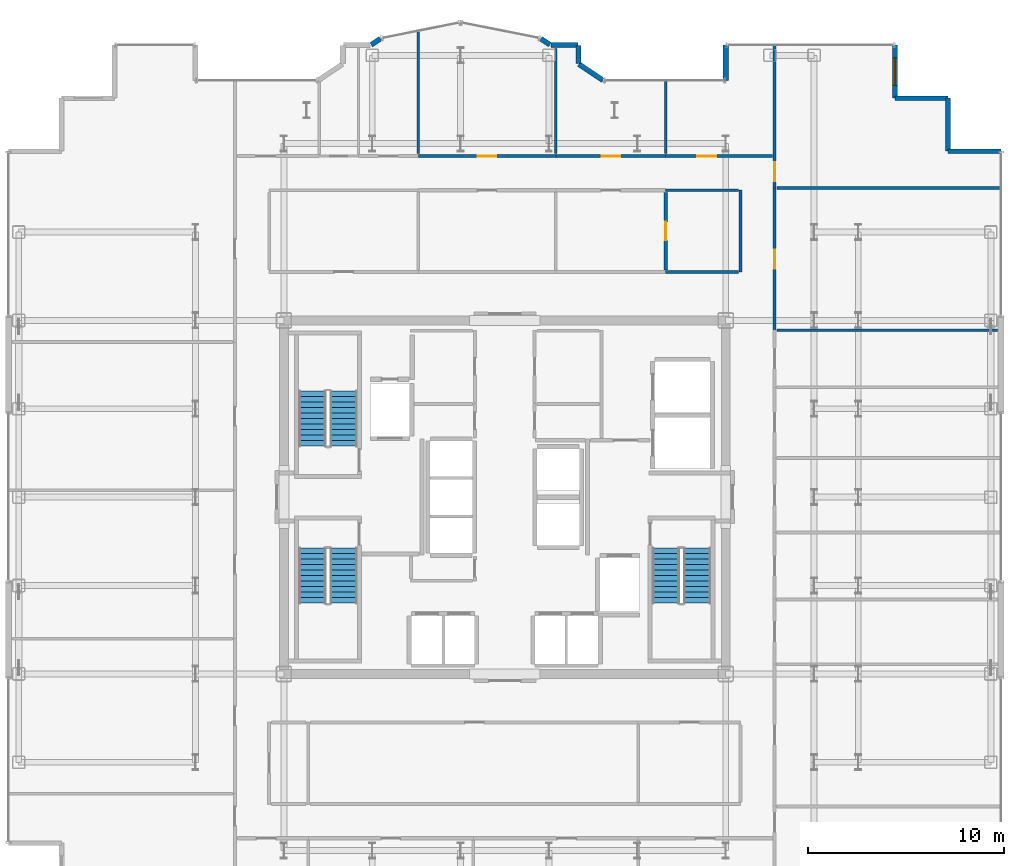
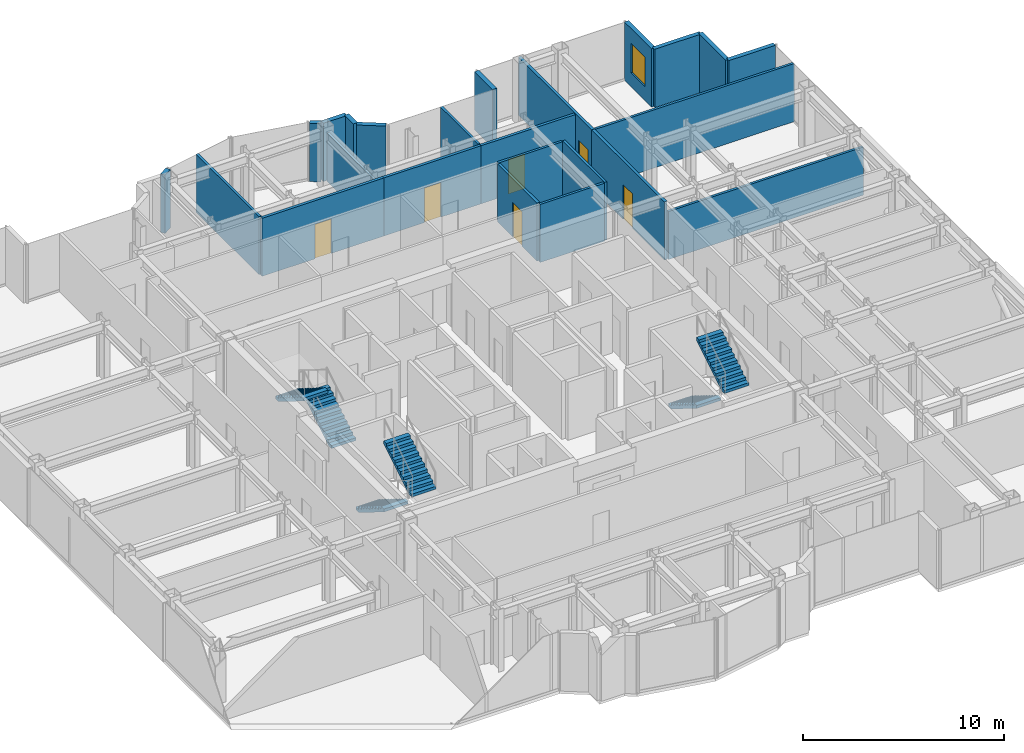
# One storey, part 20 of 21: 24 walls, 6 doors, 6 stair flights, 1 window, 7 openings, 3 elements without a shape of their own.
"""IFC4 building model written with IfcOpenShell, lengths in metres."""

from ifc_helpers import new_model, si_unit, direction, frame, frame_2d, origin, place, context, subcontext, project, spatial, polyline, rectangle, outline, extrude, source, transform, mapped, material, layer, layer_set, type_object, element, fill, aggregate, save


model = new_model("IFC4")

# Units and contexts
model_context = context("Model", 3, precision=1e-05, world=origin(), true_north=direction((0.0, 1.0)))
body_context = subcontext(model_context, "Body", "Model", "MODEL_VIEW")
ifc_project = project(units=[si_unit("LENGTHUNIT", "METRE"), si_unit("AREAUNIT", "SQUARE_METRE"), si_unit("VOLUMEUNIT", "CUBIC_METRE"), si_unit("PLANEANGLEUNIT", "RADIAN"), si_unit("MASSUNIT", "GRAM", prefix="KILO")], contexts=[model_context])

# Site, building, storey
site_placement = place(None, origin())
site = spatial("IfcSite", under=ifc_project, at=site_placement, CompositionType="ELEMENT")
building_placement = place(site_placement, origin())
building = spatial("IfcBuilding", under=site, at=building_placement, Name="Nefas-Gora Pilgrimage Tower", CompositionType="ELEMENT")
storey_placement = place(building_placement, frame((0.0, 0.0, 252.199951171875)))
storey = spatial("IfcBuildingStorey", under=building, at=storey_placement, Name="L63", CompositionType="ELEMENT", Elevation=252.199951171875)

# Walls
ifc_material_1 = material(Name="Precast concrete C40/50", Category="concrete")
ifc_layer_1 = layer(ifc_material_1, 0.260009765625)
ifc_layer_set_1 = layer_set([ifc_layer_1], Name="Precast concrete C40/50")
wall_type_1 = type_object("IfcWallType", Name="EW-PORTAL-260", PredefinedType="SOLIDWALL", material=ifc_layer_set_1)
shared_shape_1 = source(origin(), body_context, "Body", "SweptSolid", [
    extrude(rectangle(XDim=1.800048828125, YDim=0.260009765625, at=frame_2d((0.89990234375, 0.0))), origin(), (0.0, 0.0, 1.0), 3.550048828125),
])
wall_1_placement = place(storey_placement, frame((11.25, 23.02001953125, 0.0), z_axis=(0.0, 0.0, 1.0), x_axis=(0.0, -1.0, 0.0)))
element("IfcWall", 1, at=wall_1_placement, inside=storey, type_object=wall_type_1, Name="L63 Lobe Shoulder Precast Spandrel Pier 14", PredefinedType="SOLIDWALL", context=body_context, shape_type="MappedRepresentation", body=[
    mapped(shared_shape_1, transform((0.0, 0.0, 0.0), x_axis=(1.0, 0.0, 0.0), y_axis=(0.0, 1.0, 0.0), z_axis=(0.0, 0.0, 1.0), scale=1.0)),
])
ifc_material_2 = material(Name="Precast concrete C45/55", Category="concrete")
ifc_layer_2 = layer(ifc_material_2, 0.239990234375)
ifc_layer_set_2 = layer_set([ifc_layer_2], Name="Precast concrete C45/55")
wall_type_2 = type_object("IfcWallType", Name="EW-SERR-240", PredefinedType="SHEAR", material=ifc_layer_set_2)
shared_shape_2 = source(origin(), body_context, "Body", "SweptSolid", [
    extrude(rectangle(XDim=2.699951171875, YDim=0.239990234375, at=frame_2d((1.35009765625, 0.0))), origin(), (0.0, 0.0, 1.0), 3.550048828125),
])
for number, where, z_axis, x_axis, name in (
    (2, (25.27001953125, 17.6201171875, 0.0), (0.0, 0.0, 1.0), (-1.0, 0.0, 0.0), "L63 Serrated Corner Shear Pier Wall 10"),
    (3, (22.570068359375, 17.6201171875, 0.0), (0.0, 0.0, 1.0), (0.0, 1.0, 0.0), "L63 Serrated Corner Shear Pier Wall 11"),
    (4, (22.570068359375, 20.320068359375, 0.0), (0.0, 0.0, 1.0), (-1.0, 0.0, 0.0), "L63 Serrated Corner Shear Pier Wall 12"),
):
    element("IfcWall", number, at=place(storey_placement, frame(where, z_axis=z_axis, x_axis=x_axis)), inside=storey, type_object=wall_type_2, Name=name, PredefinedType="SHEAR", context=body_context, shape_type="MappedRepresentation", body=[
        mapped(shared_shape_2, transform((0.0, 0.0, 0.0), x_axis=(1.0, 0.0, 0.0), y_axis=(0.0, 1.0, 0.0), z_axis=(0.0, 0.0, 1.0), scale=1.0)),
    ])

# Wall, opening, window
wall_2_placement = place(storey_placement, frame((19.8701171875, 20.320068359375, 0.0), z_axis=(0.0, 0.0, 1.0), x_axis=(0.0, 1.0, 0.0)))
wall_2 = element("IfcWall", 5, at=wall_2_placement, inside=storey, type_object=wall_type_2, Name="L63 Serrated Corner Shear Pier Wall 13", PredefinedType="SHEAR", context=body_context, shape_type="MappedRepresentation", body=[
    mapped(shared_shape_2, transform((0.0, 0.0, 0.0), x_axis=(1.0, 0.0, 0.0), y_axis=(0.0, 1.0, 0.0), z_axis=(0.0, 0.0, 1.0), scale=1.0)),
])
opening_1_placement = place(wall_2_placement, frame((0.64990234375, 0.0, 0.85009765625)))
opening_1 = element("IfcOpeningElement", 6, at=opening_1_placement, cuts=wall_2, Name="Opening W-V2", PredefinedType="OPENING", context=body_context, shape_type="SweptSolid", body=[
    extrude(rectangle(XDim=1.39990234375, YDim=1.800048828125, at=frame_2d((0.699951171875, 0.89990234375))), frame((0.0, 0.1298828125, 0.0), z_axis=(0.0, -1.0, 0.0), x_axis=(1.0, 0.0, 0.0)), (0.0, 0.0, 1.0), 0.260009765625),
])
ifc_material_3 = material(Name="Dark ceramic-fritted operable aluminium-glass window", Category="aluminium")
window_type = type_object("IfcWindowType", Name="WIN-VENT-1400x1800", PartitioningType="SINGLE_PANEL", PredefinedType="WINDOW", material=ifc_material_3)
shared_shape_3 = source(origin(), body_context, "Body", "SweptSolid", [
    extrude(rectangle(XDim=1.39990234375, YDim=1.800048828125, at=frame_2d((0.699951171875, 0.89990234375))), frame((0.0, 0.030029296875, 0.0), z_axis=(0.0, -1.0, 0.0), x_axis=(1.0, 0.0, 0.0)), (0.0, 0.0, 1.0), 0.06005859375),
])
window_placement = place(opening_1_placement, origin())
window = element("IfcWindow", 7, at=window_placement, inside=storey, type_object=window_type, Name="L63 Operable Parallel-Outswing Window 13", OverallHeight=1.800048828125, OverallWidth=1.39990234375, PartitioningType="SINGLE_PANEL", PredefinedType="WINDOW", context=body_context, shape_type="MappedRepresentation", body=[
    mapped(shared_shape_3, transform((0.0, 0.0, 0.0), x_axis=(1.0, 0.0, 0.0), y_axis=(0.0, 1.0, 0.0), z_axis=(0.0, 0.0, 1.0), scale=1.0)),
])
fill(opening_1, window)

# Walls
shared_shape_4 = source(origin(), body_context, "Body", "SweptSolid", [
    extrude(rectangle(XDim=1.468994140625, YDim=0.260009765625, at=frame_2d((0.734375, 0.0))), origin(), (0.0, 0.0, 1.0), 3.550048828125),
])
wall_3_placement = place(storey_placement, frame((4.99462890625, 21.235595703125, 0.0), z_axis=(0.0, 0.0, 1.0), x_axis=(-0.831461760506, 0.555581983884, 0.0)))
element("IfcWall", 8, at=wall_3_placement, inside=storey, type_object=wall_type_1, Name="L63 Lobe Shoulder Precast Spandrel Pier 15", PredefinedType="SOLIDWALL", context=body_context, shape_type="MappedRepresentation", body=[
    mapped(shared_shape_4, transform((0.0, 0.0, 0.0), x_axis=(1.0, 0.0, 0.0), y_axis=(0.0, 1.0, 0.0), z_axis=(0.0, 0.0, 1.0), scale=1.0)),
])
shared_shape_5 = source(origin(), body_context, "Body", "SweptSolid", [
    extrude(rectangle(XDim=0.896728515625, YDim=0.260009765625, at=frame_2d((0.4482421875, 0.0))), origin(), (0.0, 0.0, 1.0), 3.550048828125),
])
wall_4_placement = place(storey_placement, frame((3.75, 22.09521484375, 0.0), z_axis=(0.0, 0.0, 1.0), x_axis=(0.0, 1.0, 0.0)))
element("IfcWall", 9, at=wall_4_placement, inside=storey, type_object=wall_type_1, Name="L63 Lobe Shoulder Precast Spandrel Pier 16", PredefinedType="SOLIDWALL", context=body_context, shape_type="MappedRepresentation", body=[
    mapped(shared_shape_5, transform((0.0, 0.0, 0.0), x_axis=(1.0, 0.0, 0.0), y_axis=(0.0, 1.0, 0.0), z_axis=(0.0, 0.0, 1.0), scale=1.0)),
])
shared_shape_6 = source(origin(), body_context, "Body", "SweptSolid", [
    extrude(rectangle(XDim=1.369873046875, YDim=0.260009765625, at=frame_2d((0.68505859375, 0.0))), origin(), (0.0, 0.0, 1.0), 3.550048828125),
])
wall_5_placement = place(storey_placement, frame((3.721923828125, 23.02001953125, 0.0), z_axis=(0.0, 0.0, 1.0), x_axis=(-1.0, 0.0, 0.0)))
element("IfcWall", 10, at=wall_5_placement, inside=storey, type_object=wall_type_1, Name="L63 Lobe Shoulder Precast Spandrel Pier 17", PredefinedType="SOLIDWALL", context=body_context, shape_type="MappedRepresentation", body=[
    mapped(shared_shape_6, transform((0.0, 0.0, 0.0), x_axis=(1.0, 0.0, 0.0), y_axis=(0.0, 1.0, 0.0), z_axis=(0.0, 0.0, 1.0), scale=1.0)),
])
shared_shape_7 = source(origin(), body_context, "Body", "SweptSolid", [
    extrude(rectangle(XDim=0.5654296875, YDim=0.260009765625, at=frame_2d((0.28271484375, 0.0))), origin(), (0.0, 0.0, 1.0), 3.550048828125),
])
for number, where, z_axis, x_axis, name in (
    (11, (2.30078125, 23.03564453125, 0.0), (0.0, 0.0, 1.0), (-0.831651492666, 0.555297933317, 0.0), "L63 Lobe Shoulder Precast Spandrel Pier 18"),
    (12, (-6.33056640625, 23.349609375, 0.0), (0.0, 0.0, 1.0), (-0.831651492666, -0.555297933317, 0.0), "L63 Lobe Shoulder Precast Spandrel Pier 19"),
):
    element("IfcWall", number, at=place(storey_placement, frame(where, z_axis=z_axis, x_axis=x_axis)), inside=storey, type_object=wall_type_1, Name=name, PredefinedType="SOLIDWALL", context=body_context, shape_type="MappedRepresentation", body=[
        mapped(shared_shape_7, transform((0.0, 0.0, 0.0), x_axis=(1.0, 0.0, 0.0), y_axis=(0.0, 1.0, 0.0), z_axis=(0.0, 0.0, 1.0), scale=1.0)),
    ])

# Wall, opening, door
ifc_material_4 = material(Name="Gypsum acoustic stud partition")
ifc_layer_3 = layer(ifc_material_4, 0.159912109375)
ifc_layer_set_3 = layer_set([ifc_layer_3], Name="Gypsum acoustic stud partition")
wall_type_3 = type_object("IfcWallType", Name="IW-CORR-160", PredefinedType="PARTITIONING", material=ifc_layer_set_3)
shared_shape_8 = source(origin(), body_context, "Body", "SweptSolid", [
    extrude(rectangle(XDim=5.610107421875, YDim=0.159912109375, at=frame_2d((2.80517578125, 0.0))), origin(), (0.0, 0.0, 1.0), 3.53515625),
])
wall_6_placement = place(storey_placement, frame((2.594970703125, 17.3701171875, 0.0), z_axis=(0.0, 0.0, 1.0), x_axis=(1.0, 0.0, 0.0)))
wall_6 = element("IfcWall", 13, at=wall_6_placement, inside=storey, type_object=wall_type_3, Name="L63 Pilgrim Contemplative Lounge Partition Wall 70", PredefinedType="PARTITIONING", context=body_context, shape_type="MappedRepresentation", body=[
    mapped(shared_shape_8, transform((0.0, 0.0, 0.0), x_axis=(1.0, 0.0, 0.0), y_axis=(0.0, 1.0, 0.0), z_axis=(0.0, 0.0, 1.0), scale=1.0)),
])
opening_2_placement = place(wall_6_placement, frame((2.330078125, 0.0, 0.0)))
opening_2 = element("IfcOpeningElement", 14, at=opening_2_placement, cuts=wall_6, Name="Opening ID-GR1", PredefinedType="OPENING", context=body_context, shape_type="SweptSolid", body=[
    extrude(rectangle(XDim=0.949951171875, YDim=2.10009765625, at=frame_2d((0.47509765625, 1.050048828125))), frame((0.0, 0.08984375, 0.0), z_axis=(0.0, -1.0, 0.0), x_axis=(1.0, 0.0, 0.0)), (0.0, 0.0, 1.0), 0.179931640625),
])
ifc_material_5 = material(Name="Solid core oak fire-rated guest entrance door")
door_type = type_object("IfcDoorType", Name="DR-INT-GUEST-950", OperationType="NOTDEFINED", PredefinedType="DOOR", material=ifc_material_5)
shared_shape_9 = source(origin(), body_context, "Body", "SweptSolid", [
    extrude(rectangle(XDim=0.949951171875, YDim=2.10009765625, at=frame_2d((0.47509765625, 1.050048828125))), frame((0.0, 0.02490234375, 0.0), z_axis=(0.0, -1.0, 0.0), x_axis=(1.0, 0.0, 0.0)), (0.0, 0.0, 1.0), 0.050048828125),
])
door_1_placement = place(opening_2_placement, origin())
door_1 = element("IfcDoor", 15, at=door_1_placement, inside=storey, type_object=door_type, Name="L63 Pilgrim Contemplative Lounge Door 32", OperationType="SINGLE_SWING_RIGHT", OverallHeight=2.10009765625, OverallWidth=0.949951171875, PredefinedType="DOOR", context=body_context, shape_type="MappedRepresentation", body=[
    mapped(shared_shape_9, transform((0.0, 0.0, 0.0), x_axis=(1.0, 0.0, 0.0), y_axis=(0.0, 1.0, 0.0), z_axis=(0.0, 0.0, 1.0), scale=1.0)),
])
fill(opening_2, door_1)

shared_shape_10 = source(origin(), body_context, "Body", "SweptSolid", [
    extrude(rectangle(XDim=5.425048828125, YDim=0.159912109375, at=frame_2d((2.71240234375, 0.0))), origin(), (0.0, 0.0, 1.0), 3.53515625),
])
wall_7_placement = place(storey_placement, frame((8.195068359375, 17.3701171875, 0.0), z_axis=(0.0, 0.0, 1.0), x_axis=(1.0, 0.0, 0.0)))
wall_7 = element("IfcWall", 16, at=wall_7_placement, inside=storey, type_object=wall_type_3, Name="L63 Pilgrim Contemplative Lounge Partition Wall 75", PredefinedType="PARTITIONING", context=body_context, shape_type="MappedRepresentation", body=[
    mapped(shared_shape_10, transform((0.0, 0.0, 0.0), x_axis=(1.0, 0.0, 0.0), y_axis=(0.0, 1.0, 0.0), z_axis=(0.0, 0.0, 1.0), scale=1.0)),
])
opening_3_placement = place(wall_7_placement, frame((1.611083984375, 0.0, 0.0)))
opening_3 = element("IfcOpeningElement", 17, at=opening_3_placement, cuts=wall_7, Name="Opening ID-GR1", PredefinedType="OPENING", context=body_context, shape_type="SweptSolid", body=[
    extrude(rectangle(XDim=0.949951171875, YDim=2.10009765625, at=frame_2d((0.47509765625, 1.050048828125))), frame((0.0, 0.08984375, 0.0), z_axis=(0.0, -1.0, 0.0), x_axis=(1.0, 0.0, 0.0)), (0.0, 0.0, 1.0), 0.179931640625),
])
door_2_placement = place(opening_3_placement, origin())
door_2 = element("IfcDoor", 18, at=door_2_placement, inside=storey, type_object=door_type, Name="L63 Pilgrim Contemplative Lounge Door 35", OperationType="SINGLE_SWING_LEFT", OverallHeight=2.10009765625, OverallWidth=0.949951171875, PredefinedType="DOOR", context=body_context, shape_type="MappedRepresentation", body=[
    mapped(shared_shape_9, transform((0.0, 0.0, 0.0), x_axis=(1.0, 0.0, 0.0), y_axis=(0.0, 1.0, 0.0), z_axis=(0.0, 0.0, 1.0), scale=1.0)),
])
fill(opening_3, door_2)

# Wall
ifc_material_6 = material(Name="Gypsum twin-stud partition")
ifc_layer_4 = layer(ifc_material_6, 0.139892578125)
ifc_layer_set_4 = layer_set([ifc_layer_4], Name="Gypsum twin-stud partition")
wall_type_4 = type_object("IfcWallType", Name="IW-UNIT-140", PredefinedType="PARTITIONING", material=ifc_layer_set_4)
shared_shape_11 = source(origin(), body_context, "Body", "SweptSolid", [
    extrude(rectangle(XDim=11.429931640625, YDim=0.139892578125, at=frame_2d((5.71484375, 0.0))), origin(), (0.0, 0.0, 1.0), 3.53515625),
])
wall_8_placement = place(storey_placement, frame((13.860107421875, 15.74755859375, 0.0), z_axis=(0.0, 0.0, 1.0), x_axis=(1.0, 0.0, 0.0)))
element("IfcWall", 19, at=wall_8_placement, inside=storey, type_object=wall_type_4, Name="L63 Pilgrim Contemplative Lounge Partition Wall 56", PredefinedType="PARTITIONING", context=body_context, shape_type="MappedRepresentation", body=[
    mapped(shared_shape_11, transform((0.0, 0.0, 0.0), x_axis=(1.0, 0.0, 0.0), y_axis=(0.0, 1.0, 0.0), z_axis=(0.0, 0.0, 1.0), scale=1.0)),
])

# Wall, opening, door
shared_shape_12 = source(origin(), body_context, "Body", "SweptSolid", [
    extrude(rectangle(XDim=7.302490234375, YDim=0.159912109375, at=frame_2d((3.6513671875, 0.0))), origin(), (0.0, 0.0, 1.0), 3.53515625),
])
wall_9_placement = place(storey_placement, frame((13.739990234375, 15.737548828125, 0.0), z_axis=(0.0, 0.0, 1.0), x_axis=(0.0, 1.0, 0.0)))
wall_9 = element("IfcWall", 20, at=wall_9_placement, inside=storey, type_object=wall_type_3, Name="L63 Pilgrim Contemplative Lounge Partition Wall 55", PredefinedType="PARTITIONING", context=body_context, shape_type="MappedRepresentation", body=[
    mapped(shared_shape_12, transform((0.0, 0.0, 0.0), x_axis=(1.0, 0.0, 0.0), y_axis=(0.0, 1.0, 0.0), z_axis=(0.0, 0.0, 1.0), scale=1.0)),
])
opening_4_placement = place(wall_9_placement, frame((0.361328125, 0.0, 0.0)))
opening_4 = element("IfcOpeningElement", 21, at=opening_4_placement, cuts=wall_9, Name="Opening ID-GR1", PredefinedType="OPENING", context=body_context, shape_type="SweptSolid", body=[
    extrude(rectangle(XDim=0.949951171875, YDim=2.10009765625, at=frame_2d((0.47509765625, 1.050048828125))), frame((0.0, 0.08984375, 0.0), z_axis=(0.0, -1.0, 0.0), x_axis=(1.0, 0.0, 0.0)), (0.0, 0.0, 1.0), 0.179931640625),
])
door_3_placement = place(opening_4_placement, origin())
door_3 = element("IfcDoor", 22, at=door_3_placement, inside=storey, type_object=door_type, Name="L63 Pilgrim Contemplative Lounge Door 25", OperationType="SINGLE_SWING_LEFT", OverallHeight=2.10009765625, OverallWidth=0.949951171875, PredefinedType="DOOR", context=body_context, shape_type="MappedRepresentation", body=[
    mapped(shared_shape_9, transform((0.0, 0.0, 0.0), x_axis=(1.0, 0.0, 0.0), y_axis=(0.0, 1.0, 0.0), z_axis=(0.0, 0.0, 1.0), scale=1.0)),
])
fill(opening_4, door_3)

shared_shape_13 = source(origin(), body_context, "Body", "SweptSolid", [
    extrude(rectangle(XDim=7.242431640625, YDim=0.159912109375, at=frame_2d((3.62109375, 0.0))), origin(), (0.0, 0.0, 1.0), 3.53515625),
])
wall_10_placement = place(storey_placement, frame((13.739990234375, 8.4951171875, 0.0), z_axis=(0.0, 0.0, 1.0), x_axis=(0.0, 1.0, 0.0)))
wall_10 = element("IfcWall", 23, at=wall_10_placement, inside=storey, type_object=wall_type_3, Name="L63 Pilgrim Contemplative Lounge Partition Wall 57", PredefinedType="PARTITIONING", context=body_context, shape_type="MappedRepresentation", body=[
    mapped(shared_shape_13, transform((0.0, 0.0, 0.0), x_axis=(1.0, 0.0, 0.0), y_axis=(0.0, 1.0, 0.0), z_axis=(0.0, 0.0, 1.0), scale=1.0)),
])
opening_5_placement = place(wall_10_placement, frame((3.146240234375, 0.0, 0.0)))
opening_5 = element("IfcOpeningElement", 24, at=opening_5_placement, cuts=wall_10, Name="Opening ID-GR1", PredefinedType="OPENING", context=body_context, shape_type="SweptSolid", body=[
    extrude(rectangle(XDim=0.949951171875, YDim=2.10009765625, at=frame_2d((0.47509765625, 1.050048828125))), frame((0.0, 0.08984375, 0.0), z_axis=(0.0, -1.0, 0.0), x_axis=(1.0, 0.0, 0.0)), (0.0, 0.0, 1.0), 0.179931640625),
])
door_4_placement = place(opening_5_placement, origin())
door_4 = element("IfcDoor", 25, at=door_4_placement, inside=storey, type_object=door_type, Name="L63 Pilgrim Contemplative Lounge Door 26", OperationType="SINGLE_SWING_RIGHT", OverallHeight=2.10009765625, OverallWidth=0.949951171875, PredefinedType="DOOR", context=body_context, shape_type="MappedRepresentation", body=[
    mapped(shared_shape_9, transform((0.0, 0.0, 0.0), x_axis=(1.0, 0.0, 0.0), y_axis=(0.0, 1.0, 0.0), z_axis=(0.0, 0.0, 1.0), scale=1.0)),
])
fill(opening_5, door_4)

# Wall
shared_shape_14 = source(origin(), body_context, "Body", "SweptSolid", [
    extrude(rectangle(XDim=3.75, YDim=0.139892578125, at=frame_2d((1.875, 0.0))), origin(), (0.0, 0.0, 1.0), 3.53515625),
])
wall_11_placement = place(storey_placement, frame((8.195068359375, 17.489990234375, 0.0), z_axis=(0.0, 0.0, 1.0), x_axis=(0.0, 1.0, 0.0)))
element("IfcWall", 26, at=wall_11_placement, inside=storey, type_object=wall_type_4, Name="L63 Pilgrim Contemplative Lounge Partition Wall 71", PredefinedType="PARTITIONING", context=body_context, shape_type="MappedRepresentation", body=[
    mapped(shared_shape_14, transform((0.0, 0.0, 0.0), x_axis=(1.0, 0.0, 0.0), y_axis=(0.0, 1.0, 0.0), z_axis=(0.0, 0.0, 1.0), scale=1.0)),
])

# Wall, opening, door
shared_shape_15 = source(origin(), body_context, "Body", "SweptSolid", [
    extrude(rectangle(XDim=3.929931640625, YDim=0.159912109375, at=frame_2d((1.96484375, 0.0))), origin(), (0.0, 0.0, 1.0), 3.53515625),
])
wall_12_placement = place(storey_placement, frame((8.195068359375, 11.580078125, 0.0), z_axis=(0.0, 0.0, 1.0), x_axis=(0.0, 1.0, 0.0)))
wall_12 = element("IfcWall", 27, at=wall_12_placement, inside=storey, type_object=wall_type_3, Name="L63 Pilgrim Contemplative Lounge Partition Wall 74", PredefinedType="PARTITIONING", context=body_context, shape_type="MappedRepresentation", body=[
    mapped(shared_shape_15, transform((0.0, 0.0, 0.0), x_axis=(1.0, 0.0, 0.0), y_axis=(0.0, 1.0, 0.0), z_axis=(0.0, 0.0, 1.0), scale=1.0)),
])
opening_6_placement = place(wall_12_placement, frame((1.489990234375, 0.0, 0.0)))
opening_6 = element("IfcOpeningElement", 28, at=opening_6_placement, cuts=wall_12, Name="Opening ID-GR1", PredefinedType="OPENING", context=body_context, shape_type="SweptSolid", body=[
    extrude(rectangle(XDim=0.949951171875, YDim=2.10009765625, at=frame_2d((0.47509765625, 1.050048828125))), frame((0.0, 0.08984375, 0.0), z_axis=(0.0, -1.0, 0.0), x_axis=(1.0, 0.0, 0.0)), (0.0, 0.0, 1.0), 0.179931640625),
])
door_5_placement = place(opening_6_placement, origin())
door_5 = element("IfcDoor", 29, at=door_5_placement, inside=storey, type_object=door_type, Name="L63 Pilgrim Contemplative Lounge Door 34", OperationType="SINGLE_SWING_RIGHT", OverallHeight=2.10009765625, OverallWidth=0.949951171875, PredefinedType="DOOR", context=body_context, shape_type="MappedRepresentation", body=[
    mapped(shared_shape_9, transform((0.0, 0.0, 0.0), x_axis=(1.0, 0.0, 0.0), y_axis=(0.0, 1.0, 0.0), z_axis=(0.0, 0.0, 1.0), scale=1.0)),
])
fill(opening_6, door_5)

# Walls
shared_shape_16 = source(origin(), body_context, "Body", "SweptSolid", [
    extrude(rectangle(XDim=4.179931640625, YDim=0.139892578125, at=frame_2d((2.08984375, 0.0))), origin(), (0.0, 0.0, 1.0), 3.53515625),
])
wall_13_placement = place(storey_placement, frame((12.0, 11.4599609375, 0.0), z_axis=(0.0, 0.0, 1.0), x_axis=(0.0, 1.0, 0.0)))
element("IfcWall", 30, at=wall_13_placement, inside=storey, type_object=wall_type_4, Name="L63 Pilgrim Contemplative Lounge Partition Wall 76", PredefinedType="PARTITIONING", context=body_context, shape_type="MappedRepresentation", body=[
    mapped(shared_shape_16, transform((0.0, 0.0, 0.0), x_axis=(1.0, 0.0, 0.0), y_axis=(0.0, 1.0, 0.0), z_axis=(0.0, 0.0, 1.0), scale=1.0)),
])
shared_shape_17 = source(origin(), body_context, "Body", "SweptSolid", [
    extrude(rectangle(XDim=3.69482421875, YDim=0.139892578125, at=frame_2d((1.847412109375, 0.0))), origin(), (0.0, 0.0, 1.0), 3.53515625),
])
for number, where, z_axis, x_axis, name in (
    (31, (8.195068359375, 15.6298828125, 0.0), (0.0, 0.0, 1.0), (1.0, 0.0, 0.0), "L63 Pilgrim Contemplative Lounge Partition Wall 77"),
    (32, (8.195068359375, 11.469970703125, 0.0), (0.0, 0.0, 1.0), (1.0, 0.0, 0.0), "L63 Pilgrim Contemplative Lounge Partition Wall 78"),
):
    element("IfcWall", number, at=place(storey_placement, frame(where, z_axis=z_axis, x_axis=x_axis)), inside=storey, type_object=wall_type_4, Name=name, PredefinedType="PARTITIONING", context=body_context, shape_type="MappedRepresentation", body=[
        mapped(shared_shape_17, transform((0.0, 0.0, 0.0), x_axis=(1.0, 0.0, 0.0), y_axis=(0.0, 1.0, 0.0), z_axis=(0.0, 0.0, 1.0), scale=1.0)),
    ])

# Wall, opening, door
shared_shape_18 = source(origin(), body_context, "Body", "SweptSolid", [
    extrude(rectangle(XDim=7.010009765625, YDim=0.159912109375, at=frame_2d((3.5048828125, 0.0))), origin(), (0.0, 0.0, 1.0), 3.53515625),
])
wall_14_placement = place(storey_placement, frame((-4.405029296875, 17.3701171875, 0.0), z_axis=(0.0, 0.0, 1.0), x_axis=(1.0, 0.0, 0.0)))
wall_14 = element("IfcWall", 33, at=wall_14_placement, inside=storey, type_object=wall_type_3, Name="L63 Pilgrim Contemplative Lounge Partition Wall 65", PredefinedType="PARTITIONING", context=body_context, shape_type="MappedRepresentation", body=[
    mapped(shared_shape_18, transform((0.0, 0.0, 0.0), x_axis=(1.0, 0.0, 0.0), y_axis=(0.0, 1.0, 0.0), z_axis=(0.0, 0.0, 1.0), scale=1.0)),
])
opening_7_placement = place(wall_14_placement, frame((3.030029296875, 0.0, 0.0)))
opening_7 = element("IfcOpeningElement", 34, at=opening_7_placement, cuts=wall_14, Name="Opening ID-GR1", PredefinedType="OPENING", context=body_context, shape_type="SweptSolid", body=[
    extrude(rectangle(XDim=0.949951171875, YDim=2.10009765625, at=frame_2d((0.47509765625, 1.050048828125))), frame((0.0, 0.08984375, 0.0), z_axis=(0.0, -1.0, 0.0), x_axis=(1.0, 0.0, 0.0)), (0.0, 0.0, 1.0), 0.179931640625),
])
door_6_placement = place(opening_7_placement, origin())
door_6 = element("IfcDoor", 35, at=door_6_placement, inside=storey, type_object=door_type, Name="L63 Pilgrim Contemplative Lounge Door 30", OperationType="SINGLE_SWING_RIGHT", OverallHeight=2.10009765625, OverallWidth=0.949951171875, PredefinedType="DOOR", context=body_context, shape_type="MappedRepresentation", body=[
    mapped(shared_shape_9, transform((0.0, 0.0, 0.0), x_axis=(1.0, 0.0, 0.0), y_axis=(0.0, 1.0, 0.0), z_axis=(0.0, 0.0, 1.0), scale=1.0)),
])
fill(opening_7, door_6)

# Walls
shared_shape_19 = source(origin(), body_context, "Body", "SweptSolid", [
    extrude(rectangle(XDim=5.360107421875, YDim=0.139892578125, at=frame_2d((2.68017578125, 0.0))), origin(), (0.0, 0.0, 1.0), 2.925048828125),
])
wall_15_placement = place(storey_placement, frame((2.594970703125, 17.489990234375, 0.0), z_axis=(0.0, 0.0, 1.0), x_axis=(0.0, 1.0, 0.0)))
element("IfcWall", 36, at=wall_15_placement, inside=storey, type_object=wall_type_4, Name="L63 Pilgrim Contemplative Lounge Partition Wall 66", PredefinedType="PARTITIONING", context=body_context, shape_type="MappedRepresentation", body=[
    mapped(shared_shape_19, transform((0.0, 0.0, 0.0), x_axis=(1.0, 0.0, 0.0), y_axis=(0.0, 1.0, 0.0), z_axis=(0.0, 0.0, 1.0), scale=1.0)),
])
shared_shape_20 = source(origin(), body_context, "Body", "SweptSolid", [
    extrude(rectangle(XDim=11.219970703125, YDim=0.139892578125, at=frame_2d((5.60986328125, 0.0))), origin(), (0.0, 0.0, 1.0), 2.925048828125),
])
wall_16_placement = place(storey_placement, frame((13.860107421875, 8.4951171875, 0.0), z_axis=(0.0, 0.0, 1.0), x_axis=(1.0, 0.0, 0.0)))
element("IfcWall", 37, at=wall_16_placement, inside=storey, type_object=wall_type_4, Name="L63 Scripture Reading Study Partition Wall 54", PredefinedType="PARTITIONING", context=body_context, shape_type="MappedRepresentation", body=[
    mapped(shared_shape_20, transform((0.0, 0.0, 0.0), x_axis=(1.0, 0.0, 0.0), y_axis=(0.0, 1.0, 0.0), z_axis=(0.0, 0.0, 1.0), scale=1.0)),
])
shared_shape_21 = source(origin(), body_context, "Body", "SweptSolid", [
    extrude(rectangle(XDim=6.276123046875, YDim=0.139892578125, at=frame_2d((3.13818359375, 0.0))), origin(), (0.0, 0.0, 1.0), 3.53515625),
])
wall_17_placement = place(storey_placement, frame((-4.405029296875, 17.489990234375, 0.0), z_axis=(0.0, 0.0, 1.0), x_axis=(0.0, 1.0, 0.0)))
element("IfcWall", 38, at=wall_17_placement, inside=storey, type_object=wall_type_4, Name="L63 Pilgrim Contemplative Lounge Partition Wall 63", PredefinedType="PARTITIONING", context=body_context, shape_type="MappedRepresentation", body=[
    mapped(shared_shape_21, transform((0.0, 0.0, 0.0), x_axis=(1.0, 0.0, 0.0), y_axis=(0.0, 1.0, 0.0), z_axis=(0.0, 0.0, 1.0), scale=1.0)),
])

# Stair, stair flights
ifc_material_7 = material(Name="Concrete C45/55", Category="concrete")
stair_type = type_object("IfcStairType", Name="STR-1400-R1727", PredefinedType="HALF_TURN_STAIR", material=ifc_material_7)
stair_1_placement = place(storey_placement, origin())
stair_1 = element("IfcStair", 39, at=stair_1_placement, inside=storey, type_object=stair_type, Name="L63 Pressurised Tower Exit Stair ST-01", PredefinedType="HALF_TURN_STAIR")
stair_flight_type = type_object("IfcStairFlightType", Name="STF-1400-R1727", PredefinedType="STRAIGHT", material=ifc_material_7)
shared_shape_22 = source(origin(), body_context, "Body", "SweptSolid", [
    extrude(outline(polyline([(0.0, 0.0), (0.0, 0.172607421875), (0.280029296875, 0.172607421875), (0.280029296875, 0.345458984375), (0.56005859375, 0.345458984375), (0.56005859375, 0.51806640625), (0.840087890625, 0.51806640625), (0.840087890625, 0.69091796875), (1.1201171875, 0.69091796875), (1.1201171875, 0.863525390625), (1.39990234375, 0.863525390625), (1.39990234375, 1.036376953125), (1.679931640625, 1.036376953125), (1.679931640625, 1.208984375), (1.9599609375, 1.208984375), (1.9599609375, 1.3818359375), (2.239990234375, 1.3818359375), (2.239990234375, 1.554443359375), (2.52001953125, 1.554443359375), (2.52001953125, 1.727294921875), (2.800048828125, 1.727294921875), (2.800048828125, 1.89990234375), (2.800048828125, 1.551025390625), (0.285400390625, 0.0), (0.0, 0.0)])), frame((0.0, 0.699951171875, 0.0), z_axis=(0.0, -1.0, 0.0), x_axis=(1.0, 0.0, 0.0)), (0.0, 0.0, 1.0), 1.39990234375),
])
stair_flight_1_placement = place(storey_placement, frame((-8.199951171875, 2.60009765625, 0.0), z_axis=(0.0, 0.0, 1.0), x_axis=(0.0, 1.0, 0.0)))
stair_flight_1 = element("IfcStairFlight", 40, at=stair_flight_1_placement, type_object=stair_flight_type, Name="ST-01 flight 1", NumberOfRisers=11, NumberOfTreads=10, PredefinedType="STRAIGHT", RiserHeight=0.172727273, TreadLength=0.28, context=body_context, shape_type="MappedRepresentation", body=[
    mapped(shared_shape_22, transform((0.0, 0.0, 0.0), x_axis=(1.0, 0.0, 0.0), y_axis=(0.0, 1.0, 0.0), z_axis=(0.0, 0.0, 1.0), scale=1.0)),
])
stair_flight_2_placement = place(storey_placement, frame((-9.800048828125, 5.39990234375, 1.900146484375), z_axis=(0.0, 0.0, 1.0), x_axis=(0.0, -1.0, 0.0)))
stair_flight_2 = element("IfcStairFlight", 41, at=stair_flight_2_placement, type_object=stair_flight_type, Name="ST-01 flight 2", NumberOfRisers=11, NumberOfTreads=10, PredefinedType="STRAIGHT", RiserHeight=0.172727273, TreadLength=0.28, context=body_context, shape_type="MappedRepresentation", body=[
    mapped(shared_shape_22, transform((0.0, 0.0, 0.0), x_axis=(1.0, 0.0, 0.0), y_axis=(0.0, 1.0, 0.0), z_axis=(0.0, 0.0, 1.0), scale=1.0)),
])
aggregate(stair_1, [stair_flight_1, stair_flight_2])

stair_2_placement = place(storey_placement, origin())
stair_2 = element("IfcStair", 42, at=stair_2_placement, inside=storey, type_object=stair_type, Name="L63 Pressurised Tower Exit Stair ST-02", PredefinedType="HALF_TURN_STAIR")
stair_flight_3_placement = place(storey_placement, frame((8.199951171875, -2.60009765625, 0.0), z_axis=(0.0, 0.0, 1.0), x_axis=(0.0, -1.0, 0.0)))
stair_flight_3 = element("IfcStairFlight", 43, at=stair_flight_3_placement, type_object=stair_flight_type, Name="ST-02 flight 1", NumberOfRisers=11, NumberOfTreads=10, PredefinedType="STRAIGHT", RiserHeight=0.172727273, TreadLength=0.28, context=body_context, shape_type="MappedRepresentation", body=[
    mapped(shared_shape_22, transform((0.0, 0.0, 0.0), x_axis=(1.0, 0.0, 0.0), y_axis=(0.0, 1.0, 0.0), z_axis=(0.0, 0.0, 1.0), scale=1.0)),
])
stair_flight_4_placement = place(storey_placement, frame((9.800048828125, -5.39990234375, 1.900146484375), z_axis=(0.0, 0.0, 1.0), x_axis=(0.0, 1.0, 0.0)))
stair_flight_4 = element("IfcStairFlight", 44, at=stair_flight_4_placement, type_object=stair_flight_type, Name="ST-02 flight 2", NumberOfRisers=11, NumberOfTreads=10, PredefinedType="STRAIGHT", RiserHeight=0.172727273, TreadLength=0.28, context=body_context, shape_type="MappedRepresentation", body=[
    mapped(shared_shape_22, transform((0.0, 0.0, 0.0), x_axis=(1.0, 0.0, 0.0), y_axis=(0.0, 1.0, 0.0), z_axis=(0.0, 0.0, 1.0), scale=1.0)),
])
aggregate(stair_2, [stair_flight_3, stair_flight_4])

stair_3_placement = place(storey_placement, origin())
stair_3 = element("IfcStair", 45, at=stair_3_placement, inside=storey, type_object=stair_type, Name="L63 Pressurised Tower Exit Stair ST-03", PredefinedType="HALF_TURN_STAIR")
stair_flight_5_placement = place(storey_placement, frame((-9.800048828125, -2.60009765625, 0.0), z_axis=(0.0, 0.0, 1.0), x_axis=(0.0, -1.0, 0.0)))
stair_flight_5 = element("IfcStairFlight", 46, at=stair_flight_5_placement, type_object=stair_flight_type, Name="ST-03 flight 1", NumberOfRisers=11, NumberOfTreads=10, PredefinedType="STRAIGHT", RiserHeight=0.172727273, TreadLength=0.28, context=body_context, shape_type="MappedRepresentation", body=[
    mapped(shared_shape_22, transform((0.0, 0.0, 0.0), x_axis=(1.0, 0.0, 0.0), y_axis=(0.0, 1.0, 0.0), z_axis=(0.0, 0.0, 1.0), scale=1.0)),
])
stair_flight_6_placement = place(storey_placement, frame((-8.199951171875, -5.39990234375, 1.900146484375), z_axis=(0.0, 0.0, 1.0), x_axis=(0.0, 1.0, 0.0)))
stair_flight_6 = element("IfcStairFlight", 47, at=stair_flight_6_placement, type_object=stair_flight_type, Name="ST-03 flight 2", NumberOfRisers=11, NumberOfTreads=10, PredefinedType="STRAIGHT", RiserHeight=0.172727273, TreadLength=0.28, context=body_context, shape_type="MappedRepresentation", body=[
    mapped(shared_shape_22, transform((0.0, 0.0, 0.0), x_axis=(1.0, 0.0, 0.0), y_axis=(0.0, 1.0, 0.0), z_axis=(0.0, 0.0, 1.0), scale=1.0)),
])
aggregate(stair_3, [stair_flight_5, stair_flight_6])

save(model, "model.ifc")
